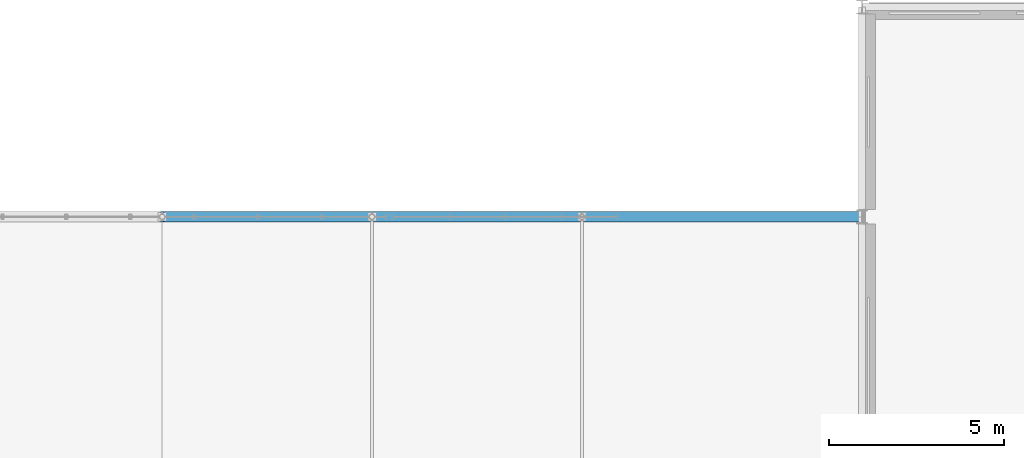
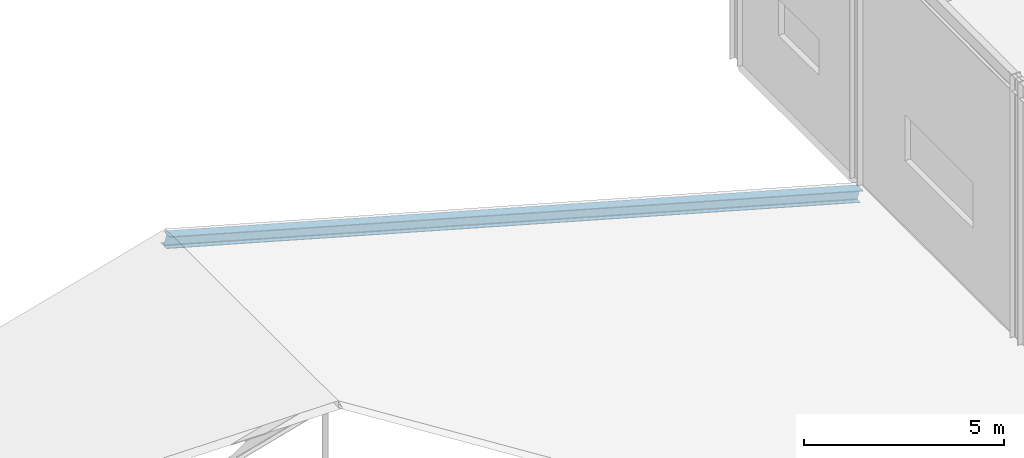
# One storey, part 34 of 49: 1 member.
"""IFC4 building model written with IfcOpenShell, lengths in metres."""

import ifcopenshell
import ifcopenshell.guid

model = None  # the IFC model being written
_history = None  # IfcOwnerHistory: only IFC2X3 demands one
_inside = {}  # id of a spatial element -> (the spatial element, [elements in it])
_under = {}  # id of a project, library or spatial element -> (it, [spatial elements below it])
_declared = {}  # id of a project -> (the project, [libraries it declares])
_typed = {}  # id of a type object -> (the type object, [elements of that type])
_made_of = {}  # id of a material, layer set ... -> (it, [elements and type objects made of it])


def new_model(schema):
    """Start an empty IFC model of exactly this schema.

    Asked for "IFC4X3", IfcOpenShell would pick the latest addendum, in which some entities
    have other attributes; the version numbers below select the first issue.
    IFC2X3 requires an IfcOwnerHistory on every rooted entity: one is made here for all.
    """
    global model, _history
    if schema == "IFC4X3":
        model = ifcopenshell.file(schema_version=(4, 3, 0, 0))
    else:
        model = ifcopenshell.file(schema=schema)
    _inside.clear()
    _under.clear()
    _declared.clear()
    _typed.clear()
    _made_of.clear()
    _history = None
    if model.schema == "IFC2X3":
        org = make("IfcOrganization", Name="unknown")
        user = make(
            "IfcPersonAndOrganization",
            ThePerson=make("IfcPerson", FamilyName="unknown"),
            TheOrganization=org,
        )
        app = make(
            "IfcApplication",
            ApplicationDeveloper=org,
            Version="unknown",
            ApplicationFullName="unknown",
            ApplicationIdentifier="unknown",
        )
        _history = make(
            "IfcOwnerHistory",
            OwningUser=user,
            OwningApplication=app,
            ChangeAction="ADDED",
            CreationDate=0,
        )
    return model


def make(cls, **values):
    """One entity of the class cls with the attributes given. An attribute that is None is left unset."""
    return model.create_entity(
        cls, **{name: value for name, value in values.items() if value is not None}
    )


def rooted(cls, **values):
    """An entity with a GlobalId (a new one), such as an element, a storey or a relation."""
    return make(cls, GlobalId=ifcopenshell.guid.new(), OwnerHistory=_history, **values)


def si_unit(unit_type, name, prefix=None):
    """IfcSIUnit, for example si_unit("LENGTHUNIT", "METRE", prefix="MILLI")."""
    return make("IfcSIUnit", UnitType=unit_type, Prefix=prefix, Name=name)


def assignment(units):
    """IfcUnitAssignment: the units of a project."""
    return None if units is None else make("IfcUnitAssignment", Units=units)


def point(xyz):
    """IfcCartesianPoint."""
    return None if xyz is None else make("IfcCartesianPoint", Coordinates=xyz)


def direction(xyz):
    """IfcDirection."""
    return None if xyz is None else make("IfcDirection", DirectionRatios=xyz)


def frame(location, z_axis=None, x_axis=None):
    """IfcAxis2Placement3D, a coordinate frame: its origin and axes. An axis left out is left unset."""
    return make(
        "IfcAxis2Placement3D",
        Location=point(location),
        Axis=direction(z_axis),
        RefDirection=direction(x_axis),
    )


def frame_2d(location, x_axis=None):
    """IfcAxis2Placement2D, a coordinate frame in the plane: its origin and x axis."""
    return make(
        "IfcAxis2Placement2D", Location=point(location), RefDirection=direction(x_axis)
    )


def origin():
    """The frame at (0, 0, 0) with its axes left unset."""
    return frame((0.0, 0.0, 0.0))


def origin_2d():
    """The frame at (0, 0) in the plane with its x axis left unset."""
    return frame_2d((0.0, 0.0))


def place(relative_to, where):
    """IfcLocalPlacement: puts the frame where relative to a parent placement (None: the world)."""
    return make(
        "IfcLocalPlacement", PlacementRelTo=relative_to, RelativePlacement=where
    )


def context(
    kind, dimensions, precision=None, world=None, true_north=None, identifier=None
):
    """IfcGeometricRepresentationContext, for example the 3D "Model" context."""
    return make(
        "IfcGeometricRepresentationContext",
        ContextIdentifier=identifier,
        ContextType=kind,
        CoordinateSpaceDimension=dimensions,
        Precision=precision,
        WorldCoordinateSystem=world,
        TrueNorth=true_north,
    )


def subcontext(parent, identifier, kind, view, scale=None):
    """IfcGeometricRepresentationSubContext, for example "Body" below "Model"."""
    return make(
        "IfcGeometricRepresentationSubContext",
        ContextIdentifier=identifier,
        ContextType=kind,
        ParentContext=parent,
        TargetScale=scale,
        TargetView=view,
    )


def project(units=None, contexts=None):
    """IfcProject with its units and contexts."""
    return rooted(
        "IfcProject",
        Name="project",
        RepresentationContexts=contexts,
        UnitsInContext=assignment(units),
    )


def spatial(cls, under=None, at=None, **own):
    """A site, building, storey or space (cls), placed at a placement, below another one or the project."""
    s = rooted(cls, ObjectPlacement=at, **own)
    if under is not None:
        _under.setdefault(under.id(), (under, []))[1].append(s)
    return s


def profile(cls, at=None, kind="AREA", **sizes):
    """A parametric profile (cls). Its sizes go by their IFC names, for example OverallWidth=200.0."""
    return make(cls, ProfileType=kind, Position=at, **sizes)


def i_section(**sizes):
    """IfcIShapeProfileDef."""
    return profile("IfcIShapeProfileDef", **sizes)


def extrude(swept, where, along, depth):
    """IfcExtrudedAreaSolid: the profile swept, set in the frame where, extruded along a direction by depth."""
    return make(
        "IfcExtrudedAreaSolid",
        SweptArea=swept,
        Position=where,
        ExtrudedDirection=direction(along),
        Depth=depth,
    )


def shape(context_of_items, identifier, shape_type, items):
    """IfcShapeRepresentation: the items that make up one representation, for example the "Body"."""
    return make(
        "IfcShapeRepresentation",
        ContextOfItems=context_of_items,
        RepresentationIdentifier=identifier,
        RepresentationType=shape_type,
        Items=items,
    )


def material(Name=None, Category=None):
    """IfcMaterial."""
    return make("IfcMaterial", Name=Name, Category=Category)


def material_profile(
    of_material, cross_section, Name=None, Category=None, Priority=None
):
    """IfcMaterialProfile: a cross section and its material."""
    return make(
        "IfcMaterialProfile",
        Name=Name,
        Material=of_material,
        Profile=cross_section,
        Priority=Priority,
        Category=Category,
    )


def profile_set(profiles, Name=None, composite=None):
    """IfcMaterialProfileSet."""
    return make(
        "IfcMaterialProfileSet",
        Name=Name,
        MaterialProfiles=profiles,
        CompositeProfile=composite,
    )


def made_of(thing, what):
    """Note that an element or type object is made of a material, layer set ...; save() writes the relation."""
    if what is not None:
        _made_of.setdefault(what.id(), (what, []))[1].append(thing)
    return thing


def type_object(cls, material=None, **own):
    """A type object (cls), such as IfcWallType, which elements share."""
    return made_of(rooted(cls, **own), material)


def element(
    cls,
    number,
    at=None,
    inside=None,
    cuts=None,
    type_object=None,
    material=None,
    context=None,
    identifier="Body",
    shape_type=None,
    held_by="IfcProductDefinitionShape",
    body=None,
    shapes=None,
    **own,
):
    """One element of the class cls, such as IfcWall. Its Tag is "e" and its number.

    at: its placement. inside: the storey or other place that contains it. cuts: it is an
    opening in that element (IfcRelVoidsElement). A single representation is given by context,
    identifier, shape_type and body (its items); several are given by shapes. held_by: the class
    of the entity that holds the representations. save() writes the other relations.
    """
    e = rooted(cls, Tag="e%d" % number, ObjectPlacement=at, **own)
    if body is not None:
        shapes = [shape(context, identifier, shape_type, body)]
    if shapes is not None:
        e.Representation = make(held_by, Representations=shapes)
    if inside is not None:
        _inside.setdefault(inside.id(), (inside, []))[1].append(e)
    if cuts is not None:
        rooted(
            "IfcRelVoidsElement", RelatingBuildingElement=cuts, RelatedOpeningElement=e
        )
    if type_object is not None:
        _typed.setdefault(type_object.id(), (type_object, []))[1].append(e)
    return made_of(e, material)


def aggregate(whole, parts):
    """IfcRelAggregates: a whole, such as a stair, and the parts it consists of."""
    return rooted("IfcRelAggregates", RelatingObject=whole, RelatedObjects=parts)


def save(model, path):
    """Write the relations noted so far, then the file.

    IfcRelAggregates (storeys below a building ...), IfcRelContainedInSpatialStructure (elements
    in a storey), IfcRelDefinesByType, IfcRelAssociatesMaterial and IfcRelDeclares: one each for
    every whole, place, type object, material and project.
    """
    for whole, parts in _under.values():
        aggregate(whole, parts)
    for where, things in _inside.values():
        rooted(
            "IfcRelContainedInSpatialStructure",
            RelatedElements=things,
            RelatingStructure=where,
        )
    for kind, things in _typed.values():
        rooted("IfcRelDefinesByType", RelatedObjects=things, RelatingType=kind)
    for what, things in _made_of.values():
        rooted("IfcRelAssociatesMaterial", RelatedObjects=things, RelatingMaterial=what)
    for by, libraries in _declared.values():
        rooted("IfcRelDeclares", RelatingContext=by, RelatedDefinitions=libraries)
    model.write(path)


model = new_model("IFC4")

# Units and contexts
model_context = context("Model", 3, precision=1e-05, world=origin(), true_north=direction((0.0, 1.0)))
body_context = subcontext(model_context, "Body", "Model", "MODEL_VIEW")
ifc_project = project(units=[si_unit("LENGTHUNIT", "METRE"), si_unit("AREAUNIT", "SQUARE_METRE"), si_unit("VOLUMEUNIT", "CUBIC_METRE"), si_unit("PLANEANGLEUNIT", "RADIAN"), si_unit("MASSUNIT", "GRAM", prefix="KILO")], contexts=[model_context])

# Site, building, storey
site_placement = place(None, origin())
site = spatial("IfcSite", under=ifc_project, at=site_placement, CompositionType="ELEMENT")
building_placement = place(site_placement, origin())
building = spatial("IfcBuilding", under=site, at=building_placement, Name="Sundkrona Museum", CompositionType="ELEMENT")
storey_placement = place(building_placement, frame((0.0, 0.0, 26.0)))
storey = spatial("IfcBuildingStorey", under=building, at=storey_placement, Name="L05", CompositionType="ELEMENT", Elevation=26.0)

# Member
ifc_material = material(Name="Steel S355J2", Category="steel")
ifc_material_profile = material_profile(ifc_material, i_section(OverallWidth=0.300048828125, OverallDepth=0.35009765625, WebThickness=0.010009765625, FlangeThickness=0.017578125, FilletRadius=0.027099609375, at=origin_2d()), Name="HEA 360")
ifc_profile_set = profile_set([ifc_material_profile], Name="Steel S355J2")
member_type = type_object("IfcMemberType", Name="TC-HEA360", PredefinedType="CHORD", material=ifc_profile_set)
member_placement = place(storey_placement, frame((100.0, 40.0, 5.194091796875), z_axis=(0.963039069801, 0.0, -0.269361745683), x_axis=(0.0, 1.0, 0.0)))
element("IfcMember", 1, at=member_placement, inside=storey, type_object=member_type, Name="RFS-1 Atrium Truss 6 East Rafter Chord", PredefinedType="CHORD", context=body_context, shape_type="SweptSolid", body=[
    extrude(i_section(OverallWidth=0.300048828125, OverallDepth=0.35009765625, WebThickness=0.010009765625, FlangeThickness=0.017578125, FilletRadius=0.027099609375, at=origin_2d()), origin(), (0.0, 0.0, 1.0), 20.767578125),
])

save(model, "model.ifc")
